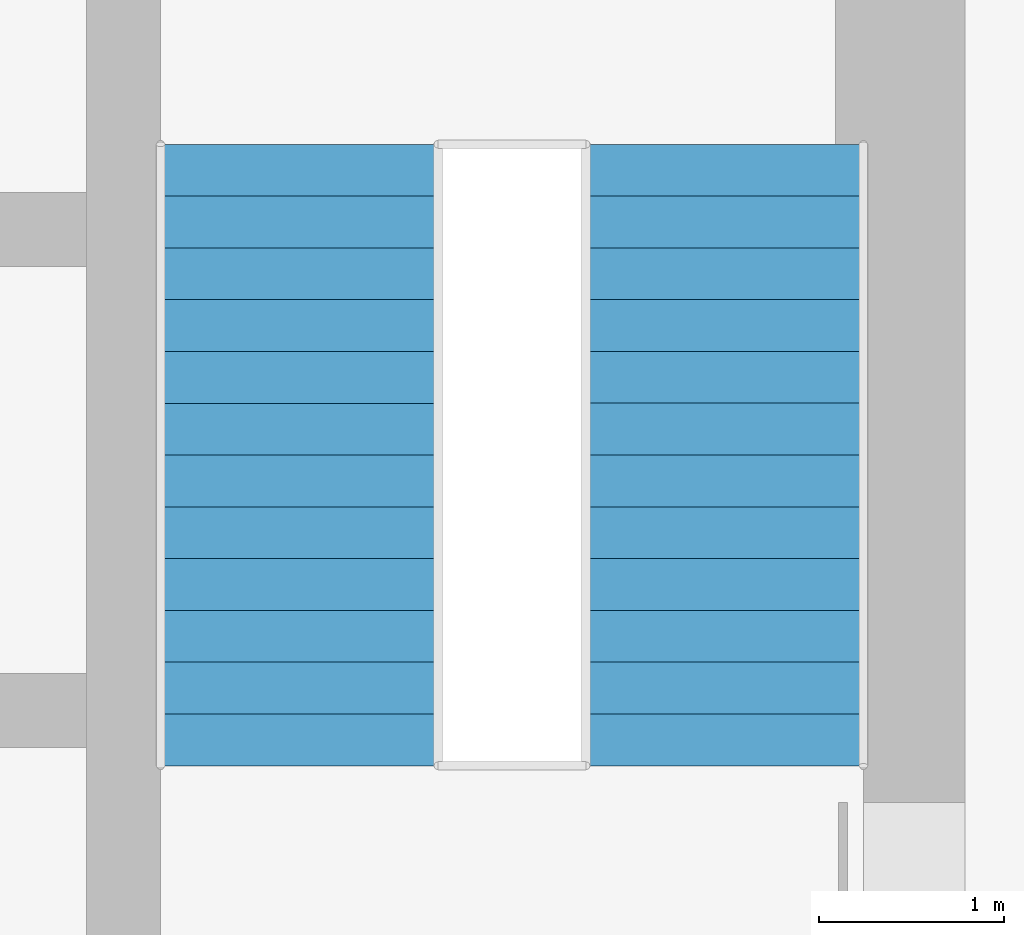
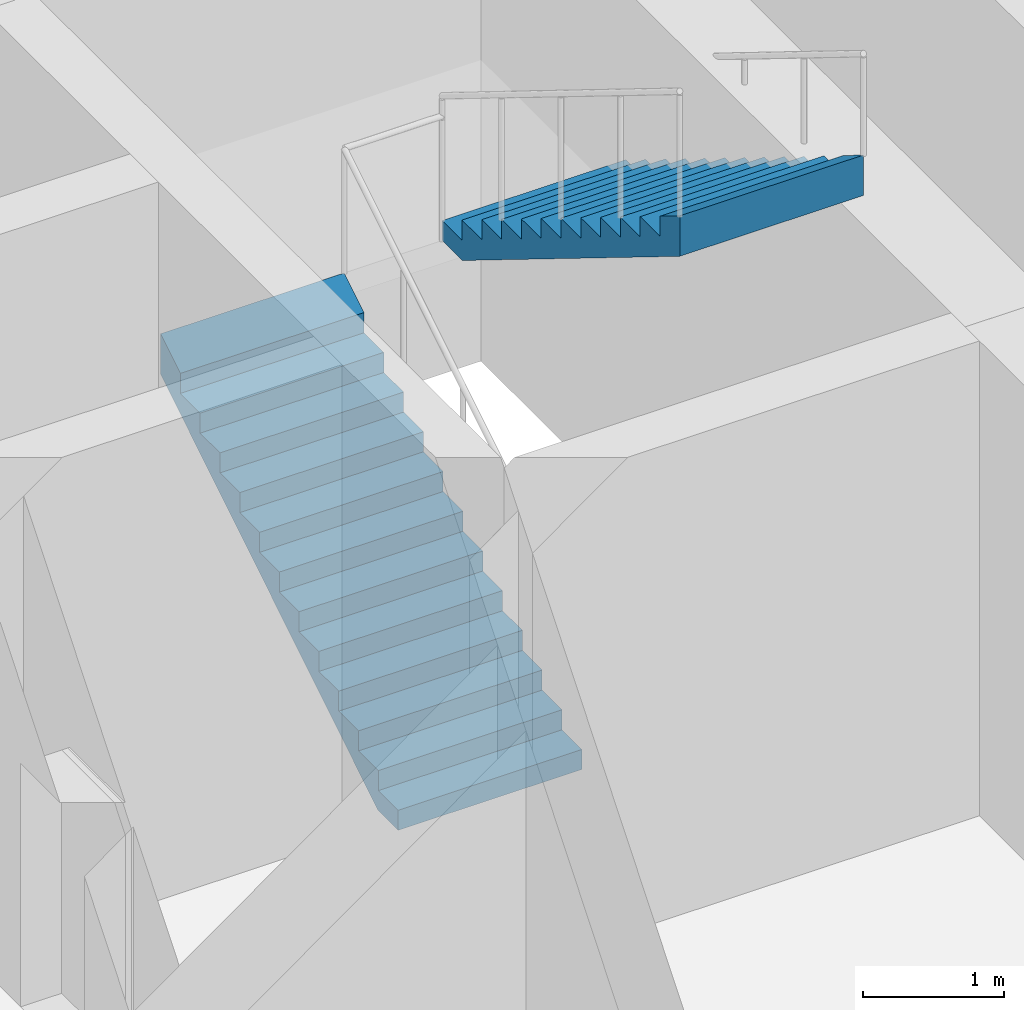
# One storey, part 13 of 14: 2 stair flights, 1 element without a shape of its own.
"""IFC4 building model written with IfcOpenShell, lengths in metres."""

from ifc_helpers import new_model, si_unit, direction, frame, origin, place, context, subcontext, project, spatial, triangles, material, type_object, element, aggregate, save


model = new_model("IFC4")

# Units and contexts
model_context = context("Model", 3, precision=1e-05, world=origin(), true_north=direction((0.0, 1.0)))
body_context = subcontext(model_context, "Body", "Model", "MODEL_VIEW")
ifc_project = project(units=[si_unit("LENGTHUNIT", "METRE"), si_unit("AREAUNIT", "SQUARE_METRE"), si_unit("VOLUMEUNIT", "CUBIC_METRE"), si_unit("PLANEANGLEUNIT", "RADIAN"), si_unit("MASSUNIT", "GRAM", prefix="KILO")], contexts=[model_context])

# Site, building, storey
site_placement = place(None, origin())
site = spatial("IfcSite", under=ifc_project, at=site_placement, CompositionType="ELEMENT")
building_placement = place(site_placement, origin())
building = spatial("IfcBuilding", under=site, at=building_placement, Name="Ludao Terraces", CompositionType="ELEMENT")
storey_placement = place(building_placement, frame((0.0, 0.0, -4.5)))
storey = spatial("IfcBuildingStorey", under=building, at=storey_placement, Name="B1", CompositionType="ELEMENT", Elevation=-4.5)

# Stair, stair flights
ifc_material = material(Name="Concrete C40", Category="concrete")
stair_type = type_object("IfcStairType", Name="INT Stair", PredefinedType="HALF_TURN_STAIR", material=ifc_material)
stair_placement = place(storey_placement, origin())
stair = element("IfcStair", 1, at=stair_placement, inside=storey, type_object=stair_type, Name="EXIT STAIR 2", PredefinedType="HALF_TURN_STAIR")
stair_flight_type = type_object("IfcStairFlightType", Name="INT Stair flight", PredefinedType="STRAIGHT", material=ifc_material)
stair_flight_1_placement = place(storey_placement, frame((91.5, 79.0, 0.0), z_axis=(0.0, 0.0, 1.0), x_axis=(0.0, 1.0, 0.0)))
stair_flight_1 = element("IfcStairFlight", 2, at=stair_flight_1_placement, type_object=stair_flight_type, Name="ST2 flight 1", NumberOfRisers=13, NumberOfTreads=12, PredefinedType="STRAIGHT", RiserHeight=0.173077, TreadLength=0.28, context=body_context, shape_type="Tessellation", body=[
    triangles([(0.0, -0.75, 0.0), (0.0, -0.5, 0.0), (0.0, -0.25, 0.0), (0.0, 0.0, 0.0), (0.0, 0.25, 0.0), (0.0, 0.5, 0.0), (0.0, 0.75, 0.0), (0.0, -0.75, 0.173095703125), (0.0, -0.5, 0.173095703125), (0.0, -0.25, 0.173095703125), (0.0, 0.0, 0.173095703125), (0.0, 0.25, 0.173095703125), (0.0, 0.5, 0.173095703125), (0.0, 0.75, 0.173095703125), (0.280029296875, -0.75, 0.173095703125), (0.280029296875, -0.5, 0.173095703125), (0.280029296875, -0.25, 0.173095703125), (0.280029296875, 0.0, 0.173095703125), (0.280029296875, 0.25, 0.173095703125), (0.280029296875, 0.5, 0.173095703125), (0.280029296875, 0.75, 0.173095703125), (0.280029296875, -0.75, 0.34619140625), (0.280029296875, -0.5, 0.34619140625), (0.280029296875, -0.25, 0.34619140625), (0.280029296875, 0.0, 0.34619140625), (0.280029296875, 0.25, 0.34619140625), (0.280029296875, 0.5, 0.34619140625), (0.280029296875, 0.75, 0.34619140625), (0.56005859375, -0.75, 0.34619140625), (0.56005859375, -0.5, 0.34619140625), (0.56005859375, -0.25, 0.34619140625), (0.56005859375, 0.0, 0.34619140625), (0.56005859375, 0.25, 0.34619140625), (0.56005859375, 0.5, 0.34619140625), (0.56005859375, 0.75, 0.34619140625), (0.56005859375, -0.75, 0.519287109375), (0.56005859375, -0.5, 0.519287109375), (0.56005859375, -0.25, 0.519287109375), (0.56005859375, 0.0, 0.519287109375), (0.56005859375, 0.25, 0.519287109375), (0.56005859375, 0.5, 0.519287109375), (0.56005859375, 0.75, 0.519287109375), (0.840087890625, -0.75, 0.519287109375), (0.840087890625, -0.5, 0.519287109375), (0.840087890625, -0.25, 0.519287109375), (0.840087890625, 0.0, 0.519287109375), (0.840087890625, 0.25, 0.519287109375), (0.840087890625, 0.5, 0.519287109375), (0.840087890625, 0.75, 0.519287109375), (0.840087890625, -0.75, 0.6923828125), (0.840087890625, -0.5, 0.6923828125), (0.840087890625, -0.25, 0.6923828125), (0.840087890625, 0.0, 0.6923828125), (0.840087890625, 0.25, 0.6923828125), (0.840087890625, 0.5, 0.6923828125), (0.840087890625, 0.75, 0.6923828125), (1.1201171875, -0.75, 0.6923828125), (1.1201171875, -0.5, 0.6923828125), (1.1201171875, -0.25, 0.6923828125), (1.1201171875, 0.0, 0.6923828125), (1.1201171875, 0.25, 0.6923828125), (1.1201171875, 0.5, 0.6923828125), (1.1201171875, 0.75, 0.6923828125), (1.1201171875, -0.75, 0.865478515625), (1.1201171875, -0.5, 0.865478515625), (1.1201171875, -0.25, 0.865478515625), (1.1201171875, 0.0, 0.865478515625), (1.1201171875, 0.25, 0.865478515625), (1.1201171875, 0.5, 0.865478515625), (1.1201171875, 0.75, 0.865478515625), (1.39990234375, -0.75, 0.865478515625), (1.39990234375, -0.5, 0.865478515625), (1.39990234375, -0.25, 0.865478515625), (1.39990234375, 0.0, 0.865478515625), (1.39990234375, 0.25, 0.865478515625), (1.39990234375, 0.5, 0.865478515625), (1.39990234375, 0.75, 0.865478515625), (1.39990234375, -0.75, 1.03857421875), (1.39990234375, -0.5, 1.03857421875), (1.39990234375, -0.25, 1.03857421875), (1.39990234375, 0.0, 1.03857421875), (1.39990234375, 0.25, 1.03857421875), (1.39990234375, 0.5, 1.03857421875), (1.39990234375, 0.75, 1.03857421875), (1.679931640625, -0.75, 1.03857421875), (1.679931640625, -0.5, 1.03857421875), (1.679931640625, -0.25, 1.03857421875), (1.679931640625, 0.0, 1.03857421875), (1.679931640625, 0.25, 1.03857421875), (1.679931640625, 0.5, 1.03857421875), (1.679931640625, 0.75, 1.03857421875), (1.679931640625, -0.75, 1.21142578125), (1.679931640625, -0.5, 1.21142578125), (1.679931640625, -0.25, 1.21142578125), (1.679931640625, 0.0, 1.21142578125), (1.679931640625, 0.25, 1.21142578125), (1.679931640625, 0.5, 1.21142578125), (1.679931640625, 0.75, 1.21142578125), (1.9599609375, -0.75, 1.21142578125), (1.9599609375, -0.5, 1.21142578125), (1.9599609375, -0.25, 1.21142578125), (1.9599609375, 0.0, 1.21142578125), (1.9599609375, 0.25, 1.21142578125), (1.9599609375, 0.5, 1.21142578125), (1.9599609375, 0.75, 1.21142578125), (1.9599609375, -0.75, 1.384521484375), (1.9599609375, -0.5, 1.384521484375), (1.9599609375, -0.25, 1.384521484375), (1.9599609375, 0.0, 1.384521484375), (1.9599609375, 0.25, 1.384521484375), (1.9599609375, 0.5, 1.384521484375), (1.9599609375, 0.75, 1.384521484375), (2.239990234375, -0.75, 1.384521484375), (2.239990234375, -0.5, 1.384521484375), (2.239990234375, -0.25, 1.384521484375), (2.239990234375, 0.0, 1.384521484375), (2.239990234375, 0.25, 1.384521484375), (2.239990234375, 0.5, 1.384521484375), (2.239990234375, 0.75, 1.384521484375), (2.239990234375, -0.75, 1.5576171875), (2.239990234375, -0.5, 1.5576171875), (2.239990234375, -0.25, 1.5576171875), (2.239990234375, 0.0, 1.5576171875), (2.239990234375, 0.25, 1.5576171875), (2.239990234375, 0.5, 1.5576171875), (2.239990234375, 0.75, 1.5576171875), (2.52001953125, -0.75, 1.5576171875), (2.52001953125, -0.5, 1.5576171875), (2.52001953125, -0.25, 1.5576171875), (2.52001953125, 0.0, 1.5576171875), (2.52001953125, 0.25, 1.5576171875), (2.52001953125, 0.5, 1.5576171875), (2.52001953125, 0.75, 1.5576171875), (2.52001953125, -0.75, 1.730712890625), (2.52001953125, -0.5, 1.730712890625), (2.52001953125, -0.25, 1.730712890625), (2.52001953125, 0.0, 1.730712890625), (2.52001953125, 0.25, 1.730712890625), (2.52001953125, 0.5, 1.730712890625), (2.52001953125, 0.75, 1.730712890625), (2.800048828125, -0.75, 1.730712890625), (2.800048828125, -0.5, 1.730712890625), (2.800048828125, -0.25, 1.730712890625), (2.800048828125, 0.0, 1.730712890625), (2.800048828125, 0.25, 1.730712890625), (2.800048828125, 0.5, 1.730712890625), (2.800048828125, 0.75, 1.730712890625), (2.800048828125, -0.75, 1.90380859375), (2.800048828125, -0.5, 1.90380859375), (2.800048828125, -0.25, 1.90380859375), (2.800048828125, 0.0, 1.90380859375), (2.800048828125, 0.25, 1.90380859375), (2.800048828125, 0.5, 1.90380859375), (2.800048828125, 0.75, 1.90380859375), (3.080078125, -0.75, 1.90380859375), (3.080078125, -0.5, 1.90380859375), (3.080078125, -0.25, 1.90380859375), (3.080078125, 0.0, 1.90380859375), (3.080078125, 0.25, 1.90380859375), (3.080078125, 0.5, 1.90380859375), (3.080078125, 0.75, 1.90380859375), (3.080078125, -0.75, 2.076904296875), (3.080078125, -0.5, 2.076904296875), (3.080078125, -0.25, 2.076904296875), (3.080078125, 0.0, 2.076904296875), (3.080078125, 0.25, 2.076904296875), (3.080078125, 0.5, 2.076904296875), (3.080078125, 0.75, 2.076904296875), (3.360107421875, -0.75, 2.25), (3.360107421875, -0.5, 2.25), (3.360107421875, -0.25, 2.25), (3.360107421875, 0.0, 2.25), (3.360107421875, 0.25, 2.25), (3.360107421875, 0.5, 2.25), (3.360107421875, 0.75, 2.25), (3.360107421875, -0.75, 1.900634765625), (3.360107421875, -0.5, 1.900634765625), (3.360107421875, -0.25, 1.900634765625), (3.360107421875, 0.0, 1.900634765625), (3.360107421875, 0.25, 1.900634765625), (3.360107421875, 0.5, 1.900634765625), (3.360107421875, 0.75, 1.900634765625), (0.28515625, -0.75, 0.0), (0.28515625, -0.5, 0.0), (0.28515625, -0.25, 0.0), (0.28515625, 0.0, 0.0), (0.28515625, 0.25, 0.0), (0.28515625, 0.5, 0.0), (0.28515625, 0.75, 0.0)], [[1, 183, 176], [7, 182, 189], [176, 169, 162], [182, 168, 175], [176, 162, 155], [182, 161, 168], [176, 155, 148], [182, 154, 161], [176, 148, 141], [182, 147, 154], [141, 134, 127], [147, 133, 140], [176, 141, 127], [182, 133, 147], [127, 120, 113], [133, 119, 126], [176, 127, 113], [182, 119, 133], [113, 106, 99], [119, 105, 112], [176, 113, 99], [182, 105, 119], [1, 176, 99], [7, 105, 182], [99, 92, 85], [105, 91, 98], [85, 78, 71], [91, 77, 84], [99, 85, 71], [105, 77, 91], [71, 64, 57], [77, 63, 70], [99, 71, 57], [105, 63, 77], [57, 50, 43], [63, 49, 56], [99, 57, 43], [105, 49, 63], [43, 36, 29], [49, 35, 42], [99, 43, 29], [105, 35, 49], [29, 22, 15], [35, 21, 28], [99, 29, 15], [105, 21, 35], [1, 99, 15], [7, 21, 105], [15, 8, 1], [21, 7, 14], [1, 9, 2], [1, 8, 9], [2, 10, 3], [2, 9, 10], [3, 11, 4], [3, 10, 11], [4, 12, 5], [4, 11, 12], [5, 13, 6], [5, 12, 13], [6, 14, 7], [6, 13, 14], [8, 16, 9], [8, 15, 16], [9, 17, 10], [9, 16, 17], [10, 18, 11], [10, 17, 18], [11, 19, 12], [11, 18, 19], [12, 20, 13], [12, 19, 20], [13, 21, 14], [13, 20, 21], [15, 23, 16], [15, 22, 23], [16, 24, 17], [16, 23, 24], [17, 25, 18], [17, 24, 25], [18, 26, 19], [18, 25, 26], [19, 27, 20], [19, 26, 27], [20, 28, 21], [20, 27, 28], [22, 30, 23], [22, 29, 30], [23, 31, 24], [23, 30, 31], [24, 32, 25], [24, 31, 32], [25, 33, 26], [25, 32, 33], [26, 34, 27], [26, 33, 34], [27, 35, 28], [27, 34, 35], [29, 37, 30], [29, 36, 37], [30, 38, 31], [30, 37, 38], [31, 39, 32], [31, 38, 39], [32, 40, 33], [32, 39, 40], [33, 41, 34], [33, 40, 41], [34, 42, 35], [34, 41, 42], [36, 44, 37], [36, 43, 44], [37, 45, 38], [37, 44, 45], [38, 46, 39], [38, 45, 46], [39, 47, 40], [39, 46, 47], [40, 48, 41], [40, 47, 48], [41, 49, 42], [41, 48, 49], [43, 51, 44], [43, 50, 51], [44, 52, 45], [44, 51, 52], [45, 53, 46], [45, 52, 53], [46, 54, 47], [46, 53, 54], [47, 55, 48], [47, 54, 55], [48, 56, 49], [48, 55, 56], [50, 58, 51], [50, 57, 58], [51, 59, 52], [51, 58, 59], [52, 60, 53], [52, 59, 60], [53, 61, 54], [53, 60, 61], [54, 62, 55], [54, 61, 62], [55, 63, 56], [55, 62, 63], [57, 65, 58], [57, 64, 65], [58, 66, 59], [58, 65, 66], [59, 67, 60], [59, 66, 67], [60, 68, 61], [60, 67, 68], [61, 69, 62], [61, 68, 69], [62, 70, 63], [62, 69, 70], [64, 72, 65], [64, 71, 72], [65, 73, 66], [65, 72, 73], [66, 74, 67], [66, 73, 74], [67, 75, 68], [67, 74, 75], [68, 76, 69], [68, 75, 76], [69, 77, 70], [69, 76, 77], [71, 79, 72], [71, 78, 79], [72, 80, 73], [72, 79, 80], [73, 81, 74], [73, 80, 81], [74, 82, 75], [74, 81, 82], [75, 83, 76], [75, 82, 83], [76, 84, 77], [76, 83, 84], [78, 86, 79], [78, 85, 86], [79, 87, 80], [79, 86, 87], [80, 88, 81], [80, 87, 88], [81, 89, 82], [81, 88, 89], [82, 90, 83], [82, 89, 90], [83, 91, 84], [83, 90, 91], [85, 93, 86], [85, 92, 93], [86, 94, 87], [86, 93, 94], [87, 95, 88], [87, 94, 95], [88, 96, 89], [88, 95, 96], [89, 97, 90], [89, 96, 97], [90, 98, 91], [90, 97, 98], [92, 100, 93], [92, 99, 100], [93, 101, 94], [93, 100, 101], [94, 102, 95], [94, 101, 102], [95, 103, 96], [95, 102, 103], [96, 104, 97], [96, 103, 104], [97, 105, 98], [97, 104, 105], [99, 107, 100], [99, 106, 107], [100, 108, 101], [100, 107, 108], [101, 109, 102], [101, 108, 109], [102, 110, 103], [102, 109, 110], [103, 111, 104], [103, 110, 111], [104, 112, 105], [104, 111, 112], [106, 114, 107], [106, 113, 114], [107, 115, 108], [107, 114, 115], [108, 116, 109], [108, 115, 116], [109, 117, 110], [109, 116, 117], [110, 118, 111], [110, 117, 118], [111, 119, 112], [111, 118, 119], [113, 121, 114], [113, 120, 121], [114, 122, 115], [114, 121, 122], [115, 123, 116], [115, 122, 123], [116, 124, 117], [116, 123, 124], [117, 125, 118], [117, 124, 125], [118, 126, 119], [118, 125, 126], [120, 128, 121], [120, 127, 128], [121, 129, 122], [121, 128, 129], [122, 130, 123], [122, 129, 130], [123, 131, 124], [123, 130, 131], [124, 132, 125], [124, 131, 132], [125, 133, 126], [125, 132, 133], [127, 135, 128], [127, 134, 135], [128, 136, 129], [128, 135, 136], [129, 137, 130], [129, 136, 137], [130, 138, 131], [130, 137, 138], [131, 139, 132], [131, 138, 139], [132, 140, 133], [132, 139, 140], [134, 142, 135], [134, 141, 142], [135, 143, 136], [135, 142, 143], [136, 144, 137], [136, 143, 144], [137, 145, 138], [137, 144, 145], [138, 146, 139], [138, 145, 146], [139, 147, 140], [139, 146, 147], [141, 149, 142], [141, 148, 149], [142, 150, 143], [142, 149, 150], [143, 151, 144], [143, 150, 151], [144, 152, 145], [144, 151, 152], [145, 153, 146], [145, 152, 153], [146, 154, 147], [146, 153, 154], [148, 156, 149], [148, 155, 156], [149, 157, 150], [149, 156, 157], [150, 158, 151], [150, 157, 158], [151, 159, 152], [151, 158, 159], [152, 160, 153], [152, 159, 160], [153, 161, 154], [153, 160, 161], [155, 163, 156], [155, 162, 163], [156, 164, 157], [156, 163, 164], [157, 165, 158], [157, 164, 165], [158, 166, 159], [158, 165, 166], [159, 167, 160], [159, 166, 167], [160, 168, 161], [160, 167, 168], [162, 170, 163], [162, 169, 170], [163, 171, 164], [163, 170, 171], [164, 172, 165], [164, 171, 172], [165, 173, 166], [165, 172, 173], [166, 174, 167], [166, 173, 174], [167, 175, 168], [167, 174, 175], [169, 177, 170], [169, 176, 177], [170, 178, 171], [170, 177, 178], [171, 179, 172], [171, 178, 179], [172, 180, 173], [172, 179, 180], [173, 181, 174], [173, 180, 181], [174, 182, 175], [174, 181, 182], [176, 184, 177], [176, 183, 184], [177, 185, 178], [177, 184, 185], [178, 186, 179], [178, 185, 186], [179, 187, 180], [179, 186, 187], [180, 188, 181], [180, 187, 188], [181, 189, 182], [181, 188, 189], [183, 2, 184], [183, 1, 2], [184, 3, 185], [184, 2, 3], [185, 4, 186], [185, 3, 4], [186, 5, 187], [186, 4, 5], [187, 6, 188], [187, 5, 6], [188, 7, 189], [188, 6, 7]], closed=True),
])
stair_flight_2_placement = place(storey_placement, frame((93.800048828125, 82.360107421875, 2.25), z_axis=(0.0, 0.0, 1.0), x_axis=(0.0, -1.0, 0.0)))
stair_flight_2 = element("IfcStairFlight", 3, at=stair_flight_2_placement, type_object=stair_flight_type, Name="ST2 flight 2", NumberOfRisers=13, NumberOfTreads=12, PredefinedType="STRAIGHT", RiserHeight=0.173077, TreadLength=0.28, context=body_context, shape_type="Tessellation", body=[
    triangles([(0.0, -0.75, 0.0), (0.0, -0.5, 0.0), (0.0, -0.25, 0.0), (0.0, 0.0, 0.0), (0.0, 0.25, 0.0), (0.0, 0.5, 0.0), (0.0, 0.75, 0.0), (0.0, -0.75, 0.173095703125), (0.0, -0.5, 0.173095703125), (0.0, -0.25, 0.173095703125), (0.0, 0.0, 0.173095703125), (0.0, 0.25, 0.173095703125), (0.0, 0.5, 0.173095703125), (0.0, 0.75, 0.173095703125), (0.280029296875, -0.75, 0.173095703125), (0.280029296875, -0.5, 0.173095703125), (0.280029296875, -0.25, 0.173095703125), (0.280029296875, 0.0, 0.173095703125), (0.280029296875, 0.25, 0.173095703125), (0.280029296875, 0.5, 0.173095703125), (0.280029296875, 0.75, 0.173095703125), (0.280029296875, -0.75, 0.34619140625), (0.280029296875, -0.5, 0.34619140625), (0.280029296875, -0.25, 0.34619140625), (0.280029296875, 0.0, 0.34619140625), (0.280029296875, 0.25, 0.34619140625), (0.280029296875, 0.5, 0.34619140625), (0.280029296875, 0.75, 0.34619140625), (0.56005859375, -0.75, 0.34619140625), (0.56005859375, -0.5, 0.34619140625), (0.56005859375, -0.25, 0.34619140625), (0.56005859375, 0.0, 0.34619140625), (0.56005859375, 0.25, 0.34619140625), (0.56005859375, 0.5, 0.34619140625), (0.56005859375, 0.75, 0.34619140625), (0.56005859375, -0.75, 0.519287109375), (0.56005859375, -0.5, 0.519287109375), (0.56005859375, -0.25, 0.519287109375), (0.56005859375, 0.0, 0.519287109375), (0.56005859375, 0.25, 0.519287109375), (0.56005859375, 0.5, 0.519287109375), (0.56005859375, 0.75, 0.519287109375), (0.840087890625, -0.75, 0.519287109375), (0.840087890625, -0.5, 0.519287109375), (0.840087890625, -0.25, 0.519287109375), (0.840087890625, 0.0, 0.519287109375), (0.840087890625, 0.25, 0.519287109375), (0.840087890625, 0.5, 0.519287109375), (0.840087890625, 0.75, 0.519287109375), (0.840087890625, -0.75, 0.6923828125), (0.840087890625, -0.5, 0.6923828125), (0.840087890625, -0.25, 0.6923828125), (0.840087890625, 0.0, 0.6923828125), (0.840087890625, 0.25, 0.6923828125), (0.840087890625, 0.5, 0.6923828125), (0.840087890625, 0.75, 0.6923828125), (1.1201171875, -0.75, 0.6923828125), (1.1201171875, -0.5, 0.6923828125), (1.1201171875, -0.25, 0.6923828125), (1.1201171875, 0.0, 0.6923828125), (1.1201171875, 0.25, 0.6923828125), (1.1201171875, 0.5, 0.6923828125), (1.1201171875, 0.75, 0.6923828125), (1.1201171875, -0.75, 0.865478515625), (1.1201171875, -0.5, 0.865478515625), (1.1201171875, -0.25, 0.865478515625), (1.1201171875, 0.0, 0.865478515625), (1.1201171875, 0.25, 0.865478515625), (1.1201171875, 0.5, 0.865478515625), (1.1201171875, 0.75, 0.865478515625), (1.39990234375, -0.75, 0.865478515625), (1.39990234375, -0.5, 0.865478515625), (1.39990234375, -0.25, 0.865478515625), (1.39990234375, 0.0, 0.865478515625), (1.39990234375, 0.25, 0.865478515625), (1.39990234375, 0.5, 0.865478515625), (1.39990234375, 0.75, 0.865478515625), (1.39990234375, -0.75, 1.03857421875), (1.39990234375, -0.5, 1.03857421875), (1.39990234375, -0.25, 1.03857421875), (1.39990234375, 0.0, 1.03857421875), (1.39990234375, 0.25, 1.03857421875), (1.39990234375, 0.5, 1.03857421875), (1.39990234375, 0.75, 1.03857421875), (1.679931640625, -0.75, 1.03857421875), (1.679931640625, -0.5, 1.03857421875), (1.679931640625, -0.25, 1.03857421875), (1.679931640625, 0.0, 1.03857421875), (1.679931640625, 0.25, 1.03857421875), (1.679931640625, 0.5, 1.03857421875), (1.679931640625, 0.75, 1.03857421875), (1.679931640625, -0.75, 1.21142578125), (1.679931640625, -0.5, 1.21142578125), (1.679931640625, -0.25, 1.21142578125), (1.679931640625, 0.0, 1.21142578125), (1.679931640625, 0.25, 1.21142578125), (1.679931640625, 0.5, 1.21142578125), (1.679931640625, 0.75, 1.21142578125), (1.9599609375, -0.75, 1.21142578125), (1.9599609375, -0.5, 1.21142578125), (1.9599609375, -0.25, 1.21142578125), (1.9599609375, 0.0, 1.21142578125), (1.9599609375, 0.25, 1.21142578125), (1.9599609375, 0.5, 1.21142578125), (1.9599609375, 0.75, 1.21142578125), (1.9599609375, -0.75, 1.384521484375), (1.9599609375, -0.5, 1.384521484375), (1.9599609375, -0.25, 1.384521484375), (1.9599609375, 0.0, 1.384521484375), (1.9599609375, 0.25, 1.384521484375), (1.9599609375, 0.5, 1.384521484375), (1.9599609375, 0.75, 1.384521484375), (2.239990234375, -0.75, 1.384521484375), (2.239990234375, -0.5, 1.384521484375), (2.239990234375, -0.25, 1.384521484375), (2.239990234375, 0.0, 1.384521484375), (2.239990234375, 0.25, 1.384521484375), (2.239990234375, 0.5, 1.384521484375), (2.239990234375, 0.75, 1.384521484375), (2.239990234375, -0.75, 1.5576171875), (2.239990234375, -0.5, 1.5576171875), (2.239990234375, -0.25, 1.5576171875), (2.239990234375, 0.0, 1.5576171875), (2.239990234375, 0.25, 1.5576171875), (2.239990234375, 0.5, 1.5576171875), (2.239990234375, 0.75, 1.5576171875), (2.52001953125, -0.75, 1.5576171875), (2.52001953125, -0.5, 1.5576171875), (2.52001953125, -0.25, 1.5576171875), (2.52001953125, 0.0, 1.5576171875), (2.52001953125, 0.25, 1.5576171875), (2.52001953125, 0.5, 1.5576171875), (2.52001953125, 0.75, 1.5576171875), (2.52001953125, -0.75, 1.730712890625), (2.52001953125, -0.5, 1.730712890625), (2.52001953125, -0.25, 1.730712890625), (2.52001953125, 0.0, 1.730712890625), (2.52001953125, 0.25, 1.730712890625), (2.52001953125, 0.5, 1.730712890625), (2.52001953125, 0.75, 1.730712890625), (2.800048828125, -0.75, 1.730712890625), (2.800048828125, -0.5, 1.730712890625), (2.800048828125, -0.25, 1.730712890625), (2.800048828125, 0.0, 1.730712890625), (2.800048828125, 0.25, 1.730712890625), (2.800048828125, 0.5, 1.730712890625), (2.800048828125, 0.75, 1.730712890625), (2.800048828125, -0.75, 1.90380859375), (2.800048828125, -0.5, 1.90380859375), (2.800048828125, -0.25, 1.90380859375), (2.800048828125, 0.0, 1.90380859375), (2.800048828125, 0.25, 1.90380859375), (2.800048828125, 0.5, 1.90380859375), (2.800048828125, 0.75, 1.90380859375), (3.080078125, -0.75, 1.90380859375), (3.080078125, -0.5, 1.90380859375), (3.080078125, -0.25, 1.90380859375), (3.080078125, 0.0, 1.90380859375), (3.080078125, 0.25, 1.90380859375), (3.080078125, 0.5, 1.90380859375), (3.080078125, 0.75, 1.90380859375), (3.080078125, -0.75, 2.076904296875), (3.080078125, -0.5, 2.076904296875), (3.080078125, -0.25, 2.076904296875), (3.080078125, 0.0, 2.076904296875), (3.080078125, 0.25, 2.076904296875), (3.080078125, 0.5, 2.076904296875), (3.080078125, 0.75, 2.076904296875), (3.360107421875, -0.75, 2.25), (3.360107421875, -0.5, 2.25), (3.360107421875, -0.25, 2.25), (3.360107421875, 0.0, 2.25), (3.360107421875, 0.25, 2.25), (3.360107421875, 0.5, 2.25), (3.360107421875, 0.75, 2.25), (3.360107421875, -0.75, 1.900634765625), (3.360107421875, -0.5, 1.900634765625), (3.360107421875, -0.25, 1.900634765625), (3.360107421875, 0.0, 1.900634765625), (3.360107421875, 0.25, 1.900634765625), (3.360107421875, 0.5, 1.900634765625), (3.360107421875, 0.75, 1.900634765625), (0.28515625, -0.75, 0.0), (0.28515625, -0.5, 0.0), (0.28515625, -0.25, 0.0), (0.28515625, 0.0, 0.0), (0.28515625, 0.25, 0.0), (0.28515625, 0.5, 0.0), (0.28515625, 0.75, 0.0)], [[1, 183, 176], [7, 182, 189], [176, 169, 162], [182, 168, 175], [176, 162, 155], [182, 161, 168], [176, 155, 148], [182, 154, 161], [176, 148, 141], [182, 147, 154], [141, 134, 127], [147, 133, 140], [176, 141, 127], [182, 133, 147], [127, 120, 113], [133, 119, 126], [176, 127, 113], [182, 119, 133], [113, 106, 99], [119, 105, 112], [176, 113, 99], [182, 105, 119], [1, 176, 99], [7, 105, 182], [99, 92, 85], [105, 91, 98], [85, 78, 71], [91, 77, 84], [99, 85, 71], [105, 77, 91], [71, 64, 57], [77, 63, 70], [99, 71, 57], [105, 63, 77], [57, 50, 43], [63, 49, 56], [99, 57, 43], [105, 49, 63], [43, 36, 29], [49, 35, 42], [99, 43, 29], [105, 35, 49], [29, 22, 15], [35, 21, 28], [99, 29, 15], [105, 21, 35], [1, 99, 15], [7, 21, 105], [15, 8, 1], [21, 7, 14], [1, 9, 2], [1, 8, 9], [2, 10, 3], [2, 9, 10], [3, 11, 4], [3, 10, 11], [4, 12, 5], [4, 11, 12], [5, 13, 6], [5, 12, 13], [6, 14, 7], [6, 13, 14], [8, 16, 9], [8, 15, 16], [9, 17, 10], [9, 16, 17], [10, 18, 11], [10, 17, 18], [11, 19, 12], [11, 18, 19], [12, 20, 13], [12, 19, 20], [13, 21, 14], [13, 20, 21], [15, 23, 16], [15, 22, 23], [16, 24, 17], [16, 23, 24], [17, 25, 18], [17, 24, 25], [18, 26, 19], [18, 25, 26], [19, 27, 20], [19, 26, 27], [20, 28, 21], [20, 27, 28], [22, 30, 23], [22, 29, 30], [23, 31, 24], [23, 30, 31], [24, 32, 25], [24, 31, 32], [25, 33, 26], [25, 32, 33], [26, 34, 27], [26, 33, 34], [27, 35, 28], [27, 34, 35], [29, 37, 30], [29, 36, 37], [30, 38, 31], [30, 37, 38], [31, 39, 32], [31, 38, 39], [32, 40, 33], [32, 39, 40], [33, 41, 34], [33, 40, 41], [34, 42, 35], [34, 41, 42], [36, 44, 37], [36, 43, 44], [37, 45, 38], [37, 44, 45], [38, 46, 39], [38, 45, 46], [39, 47, 40], [39, 46, 47], [40, 48, 41], [40, 47, 48], [41, 49, 42], [41, 48, 49], [43, 51, 44], [43, 50, 51], [44, 52, 45], [44, 51, 52], [45, 53, 46], [45, 52, 53], [46, 54, 47], [46, 53, 54], [47, 55, 48], [47, 54, 55], [48, 56, 49], [48, 55, 56], [50, 58, 51], [50, 57, 58], [51, 59, 52], [51, 58, 59], [52, 60, 53], [52, 59, 60], [53, 61, 54], [53, 60, 61], [54, 62, 55], [54, 61, 62], [55, 63, 56], [55, 62, 63], [57, 65, 58], [57, 64, 65], [58, 66, 59], [58, 65, 66], [59, 67, 60], [59, 66, 67], [60, 68, 61], [60, 67, 68], [61, 69, 62], [61, 68, 69], [62, 70, 63], [62, 69, 70], [64, 72, 65], [64, 71, 72], [65, 73, 66], [65, 72, 73], [66, 74, 67], [66, 73, 74], [67, 75, 68], [67, 74, 75], [68, 76, 69], [68, 75, 76], [69, 77, 70], [69, 76, 77], [71, 79, 72], [71, 78, 79], [72, 80, 73], [72, 79, 80], [73, 81, 74], [73, 80, 81], [74, 82, 75], [74, 81, 82], [75, 83, 76], [75, 82, 83], [76, 84, 77], [76, 83, 84], [78, 86, 79], [78, 85, 86], [79, 87, 80], [79, 86, 87], [80, 88, 81], [80, 87, 88], [81, 89, 82], [81, 88, 89], [82, 90, 83], [82, 89, 90], [83, 91, 84], [83, 90, 91], [85, 93, 86], [85, 92, 93], [86, 94, 87], [86, 93, 94], [87, 95, 88], [87, 94, 95], [88, 96, 89], [88, 95, 96], [89, 97, 90], [89, 96, 97], [90, 98, 91], [90, 97, 98], [92, 100, 93], [92, 99, 100], [93, 101, 94], [93, 100, 101], [94, 102, 95], [94, 101, 102], [95, 103, 96], [95, 102, 103], [96, 104, 97], [96, 103, 104], [97, 105, 98], [97, 104, 105], [99, 107, 100], [99, 106, 107], [100, 108, 101], [100, 107, 108], [101, 109, 102], [101, 108, 109], [102, 110, 103], [102, 109, 110], [103, 111, 104], [103, 110, 111], [104, 112, 105], [104, 111, 112], [106, 114, 107], [106, 113, 114], [107, 115, 108], [107, 114, 115], [108, 116, 109], [108, 115, 116], [109, 117, 110], [109, 116, 117], [110, 118, 111], [110, 117, 118], [111, 119, 112], [111, 118, 119], [113, 121, 114], [113, 120, 121], [114, 122, 115], [114, 121, 122], [115, 123, 116], [115, 122, 123], [116, 124, 117], [116, 123, 124], [117, 125, 118], [117, 124, 125], [118, 126, 119], [118, 125, 126], [120, 128, 121], [120, 127, 128], [121, 129, 122], [121, 128, 129], [122, 130, 123], [122, 129, 130], [123, 131, 124], [123, 130, 131], [124, 132, 125], [124, 131, 132], [125, 133, 126], [125, 132, 133], [127, 135, 128], [127, 134, 135], [128, 136, 129], [128, 135, 136], [129, 137, 130], [129, 136, 137], [130, 138, 131], [130, 137, 138], [131, 139, 132], [131, 138, 139], [132, 140, 133], [132, 139, 140], [134, 142, 135], [134, 141, 142], [135, 143, 136], [135, 142, 143], [136, 144, 137], [136, 143, 144], [137, 145, 138], [137, 144, 145], [138, 146, 139], [138, 145, 146], [139, 147, 140], [139, 146, 147], [141, 149, 142], [141, 148, 149], [142, 150, 143], [142, 149, 150], [143, 151, 144], [143, 150, 151], [144, 152, 145], [144, 151, 152], [145, 153, 146], [145, 152, 153], [146, 154, 147], [146, 153, 154], [148, 156, 149], [148, 155, 156], [149, 157, 150], [149, 156, 157], [150, 158, 151], [150, 157, 158], [151, 159, 152], [151, 158, 159], [152, 160, 153], [152, 159, 160], [153, 161, 154], [153, 160, 161], [155, 163, 156], [155, 162, 163], [156, 164, 157], [156, 163, 164], [157, 165, 158], [157, 164, 165], [158, 166, 159], [158, 165, 166], [159, 167, 160], [159, 166, 167], [160, 168, 161], [160, 167, 168], [162, 170, 163], [162, 169, 170], [163, 171, 164], [163, 170, 171], [164, 172, 165], [164, 171, 172], [165, 173, 166], [165, 172, 173], [166, 174, 167], [166, 173, 174], [167, 175, 168], [167, 174, 175], [169, 177, 170], [169, 176, 177], [170, 178, 171], [170, 177, 178], [171, 179, 172], [171, 178, 179], [172, 180, 173], [172, 179, 180], [173, 181, 174], [173, 180, 181], [174, 182, 175], [174, 181, 182], [176, 184, 177], [176, 183, 184], [177, 185, 178], [177, 184, 185], [178, 186, 179], [178, 185, 186], [179, 187, 180], [179, 186, 187], [180, 188, 181], [180, 187, 188], [181, 189, 182], [181, 188, 189], [183, 2, 184], [183, 1, 2], [184, 3, 185], [184, 2, 3], [185, 4, 186], [185, 3, 4], [186, 5, 187], [186, 4, 5], [187, 6, 188], [187, 5, 6], [188, 7, 189], [188, 6, 7]], closed=True),
])
aggregate(stair, [stair_flight_1, stair_flight_2])

save(model, "model.ifc")
